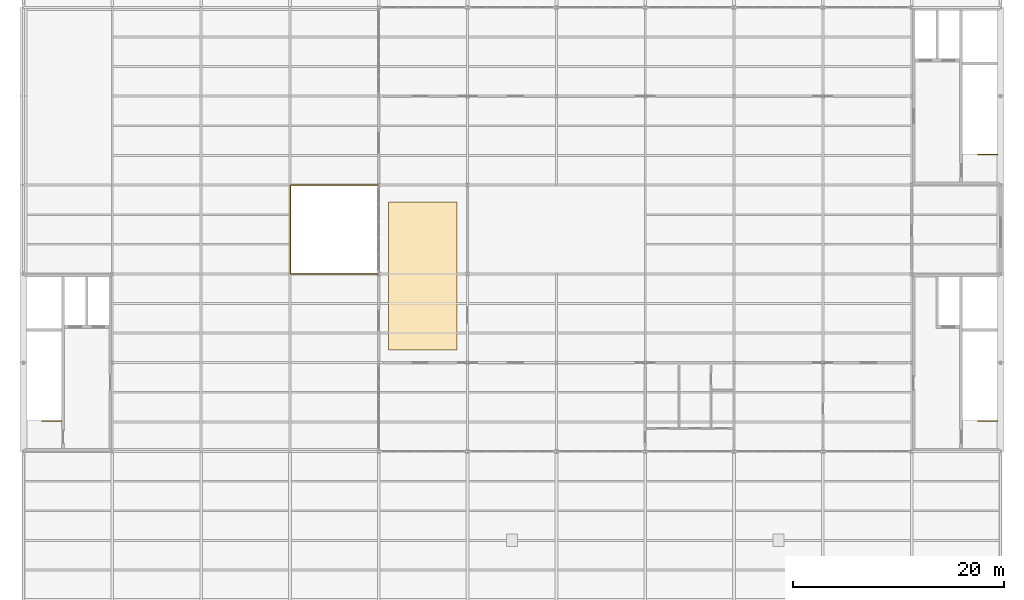
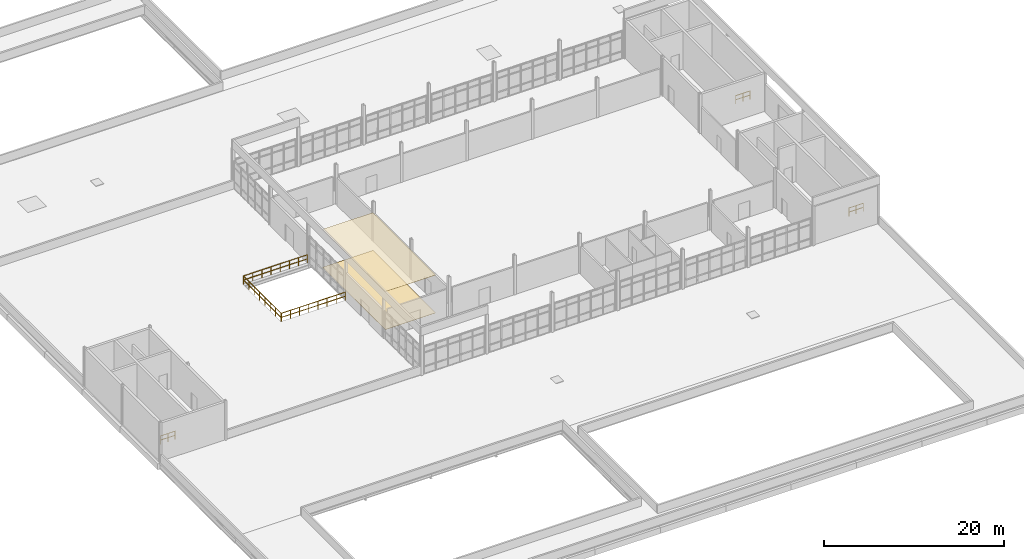
# One storey, part 33 of 33: 6 railings, 2 coverings.
"""IFC4 building model written with IfcOpenShell, lengths in metres."""

from ifc_helpers import new_model, si_unit, direction, frame, origin, origin_2d, place, context, subcontext, project, spatial, rectangle, circle, extrude, material, layer, layer_set, type_object, element, save


model = new_model("IFC4")

# Units and contexts
model_context = context("Model", 3, precision=1e-05, world=origin(), true_north=direction((0.0, 1.0)))
body_context = subcontext(model_context, "Body", "Model", "MODEL_VIEW")
ifc_project = project(units=[si_unit("LENGTHUNIT", "METRE"), si_unit("AREAUNIT", "SQUARE_METRE"), si_unit("VOLUMEUNIT", "CUBIC_METRE"), si_unit("PLANEANGLEUNIT", "RADIAN"), si_unit("MASSUNIT", "GRAM", prefix="KILO"), si_unit("THERMODYNAMICTEMPERATUREUNIT", "KELVIN"), si_unit("POWERUNIT", "WATT")], contexts=[model_context])

# Site, building, storey
site_placement = place(None, origin())
site = spatial("IfcSite", under=ifc_project, at=site_placement, CompositionType="ELEMENT")
building_placement = place(site_placement, origin())
building = spatial("IfcBuilding", under=site, at=building_placement, Name="Tembeka Court Mobility Hub", CompositionType="ELEMENT")
storey_placement = place(building_placement, frame((0.0, 0.0, 23.39990234375)))
storey = spatial("IfcBuildingStorey", under=building, at=storey_placement, Name="L06", CompositionType="ELEMENT", Elevation=23.39990234375)

# Coverings
ifc_material_1 = material(Name="Perforated acoustic mineral-fibre ceiling tile", Category="masonry")
ifc_layer_1 = layer(ifc_material_1, 0.02490234375)
ifc_layer_set_1 = layer_set([ifc_layer_1], Name="Perforated acoustic mineral-fibre ceiling tile")
covering_type_1 = type_object("IfcCoveringType", Name="COV-CL01", PredefinedType="CEILING", material=ifc_layer_set_1)
covering_1_placement = place(storey_placement, frame((37.75, 55.0, 5.149658203125), z_axis=(0.0, 0.0, 1.0), x_axis=(1.0, 0.0, 0.0)))
element("IfcCovering", 1, at=covering_1_placement, inside=storey, type_object=covering_type_1, Name="Acoustic ceiling panel CVC1-08", PredefinedType="CEILING", context=body_context, shape_type="SweptSolid", body=[
    extrude(rectangle(XDim=6.5, YDim=14.0, at=origin_2d()), origin(), (0.0, 0.0, 1.0), 0.02490234375),
])
ifc_material_2 = material(Name="Honed Nairobi granite concourse flooring", Category="masonry")
ifc_layer_2 = layer(ifc_material_2, 0.02001953125)
ifc_layer_set_2 = layer_set([ifc_layer_2], Name="Honed Nairobi granite concourse flooring")
covering_type_2 = type_object("IfcCoveringType", Name="COV-FL01", PredefinedType="FLOORING", material=ifc_layer_set_2)
covering_2_placement = place(storey_placement, frame((37.75, 55.0, -0.001953125), z_axis=(0.0, 0.0, 1.0), x_axis=(1.0, 0.0, 0.0)))
element("IfcCovering", 2, at=covering_2_placement, inside=storey, type_object=covering_type_2, Name="Honed granite floor finish CVF1-08", PredefinedType="FLOORING", context=body_context, shape_type="SweptSolid", body=[
    extrude(rectangle(XDim=6.5, YDim=14.0, at=origin_2d()), origin(), (0.0, 0.0, 1.0), 0.02001953125),
])

# Railings
ifc_material_3 = material(Name="Laminated glass and aluminium balustrade", Category="aluminium")
railing_type_1 = type_object("IfcRailingType", Name="RL-BL01", PredefinedType="BALUSTRADE", material=ifc_material_3)
railing_1_placement = place(storey_placement, frame((33.52001953125, 55.199951171875, 0.0)))
element("IfcRailing", 3, at=railing_1_placement, inside=storey, type_object=railing_type_1, Name="Perimeter guard BL01-0034", PredefinedType="BALUSTRADE", context=body_context, shape_type="SweptSolid", body=[
    extrude(circle(Radius=0.02392578125, at=origin_2d()), frame((0.0, 0.0, 1.09619140625), z_axis=(-1.0, 0.0, 0.0), x_axis=(0.0, -1.0, 0.0)), (0.0, 0.0, 1.0), 8.239990234375),
    extrude(circle(Radius=0.02392578125, at=origin_2d()), frame((0.0, 0.0, 0.5361328125), z_axis=(-1.0, 0.0, 0.0), x_axis=(0.0, -1.0, 0.0)), (0.0, 0.0, 1.0), 8.239990234375),
    extrude(circle(Radius=0.02099609375, at=origin_2d()), origin(), (0.0, 0.0, 1.0), 1.072021484375),
    extrude(circle(Radius=0.02099609375, at=origin_2d()), frame((-1.17724609375, 0.0, 0.0)), (0.0, 0.0, 1.0), 1.072021484375),
    extrude(circle(Radius=0.02099609375, at=origin_2d()), frame((-2.354248046875, 0.0, 0.0)), (0.0, 0.0, 1.0), 1.072021484375),
    extrude(circle(Radius=0.02099609375, at=origin_2d()), frame((-3.531494140625, 0.0, 0.0)), (0.0, 0.0, 1.0), 1.072021484375),
    extrude(circle(Radius=0.02099609375, at=origin_2d()), frame((-4.70849609375, 0.0, 0.0)), (0.0, 0.0, 1.0), 1.072021484375),
    extrude(circle(Radius=0.02099609375, at=origin_2d()), frame((-5.8857421875, 0.0, 0.0)), (0.0, 0.0, 1.0), 1.072021484375),
    extrude(circle(Radius=0.02099609375, at=origin_2d()), frame((-7.062744140625, 0.0, 0.0)), (0.0, 0.0, 1.0), 1.072021484375),
    extrude(circle(Radius=0.02099609375, at=origin_2d()), frame((-8.239990234375, 0.0, 0.0)), (0.0, 0.0, 1.0), 1.072021484375),
])
railing_2_placement = place(storey_placement, frame((25.25, 55.22998046875, 0.0)))
element("IfcRailing", 4, at=railing_2_placement, inside=storey, type_object=railing_type_1, Name="Perimeter guard BL01-0035", PredefinedType="BALUSTRADE", context=body_context, shape_type="SweptSolid", body=[
    extrude(circle(Radius=0.02392578125, at=origin_2d()), frame((0.0, 0.0, 1.09619140625), z_axis=(0.0, 1.0, 0.0), x_axis=(-1.0, 0.0, 0.0)), (0.0, 0.0, 1.0), 8.340087890625),
    extrude(circle(Radius=0.02392578125, at=origin_2d()), frame((0.0, 0.0, 0.5361328125), z_axis=(0.0, 1.0, 0.0), x_axis=(-1.0, 0.0, 0.0)), (0.0, 0.0, 1.0), 8.340087890625),
    extrude(circle(Radius=0.02099609375, at=origin_2d()), origin(), (0.0, 0.0, 1.0), 1.072021484375),
    extrude(circle(Radius=0.02099609375, at=origin_2d()), frame((0.0, 1.19140625, 0.0)), (0.0, 0.0, 1.0), 1.072021484375),
    extrude(circle(Radius=0.02099609375, at=origin_2d()), frame((0.0, 2.3828125, 0.0)), (0.0, 0.0, 1.0), 1.072021484375),
    extrude(circle(Radius=0.02099609375, at=origin_2d()), frame((0.0, 3.57421875, 0.0)), (0.0, 0.0, 1.0), 1.072021484375),
    extrude(circle(Radius=0.02099609375, at=origin_2d()), frame((0.0, 4.765869140625, 0.0)), (0.0, 0.0, 1.0), 1.072021484375),
    extrude(circle(Radius=0.02099609375, at=origin_2d()), frame((0.0, 5.957275390625, 0.0)), (0.0, 0.0, 1.0), 1.072021484375),
    extrude(circle(Radius=0.02099609375, at=origin_2d()), frame((0.0, 7.148681640625, 0.0)), (0.0, 0.0, 1.0), 1.072021484375),
    extrude(circle(Radius=0.02099609375, at=origin_2d()), frame((0.0, 8.340087890625, 0.0)), (0.0, 0.0, 1.0), 1.072021484375),
])
railing_3_placement = place(storey_placement, frame((25.280029296875, 63.60009765625, 0.0)))
element("IfcRailing", 5, at=railing_3_placement, inside=storey, type_object=railing_type_1, Name="Perimeter guard BL01-0036", PredefinedType="BALUSTRADE", context=body_context, shape_type="SweptSolid", body=[
    extrude(circle(Radius=0.02392578125, at=origin_2d()), frame((0.0, 0.0, 1.09619140625), z_axis=(1.0, 0.0, 0.0), x_axis=(0.0, 1.0, 0.0)), (0.0, 0.0, 1.0), 8.239990234375),
    extrude(circle(Radius=0.02392578125, at=origin_2d()), frame((0.0, 0.0, 0.5361328125), z_axis=(1.0, 0.0, 0.0), x_axis=(0.0, 1.0, 0.0)), (0.0, 0.0, 1.0), 8.239990234375),
    extrude(circle(Radius=0.02099609375, at=origin_2d()), origin(), (0.0, 0.0, 1.0), 1.072021484375),
    extrude(circle(Radius=0.02099609375, at=origin_2d()), frame((1.17724609375, 0.0, 0.0)), (0.0, 0.0, 1.0), 1.072021484375),
    extrude(circle(Radius=0.02099609375, at=origin_2d()), frame((2.354248046875, 0.0, 0.0)), (0.0, 0.0, 1.0), 1.072021484375),
    extrude(circle(Radius=0.02099609375, at=origin_2d()), frame((3.531494140625, 0.0, 0.0)), (0.0, 0.0, 1.0), 1.072021484375),
    extrude(circle(Radius=0.02099609375, at=origin_2d()), frame((4.70849609375, 0.0, 0.0)), (0.0, 0.0, 1.0), 1.072021484375),
    extrude(circle(Radius=0.02099609375, at=origin_2d()), frame((5.8857421875, 0.0, 0.0)), (0.0, 0.0, 1.0), 1.072021484375),
    extrude(circle(Radius=0.02099609375, at=origin_2d()), frame((7.062744140625, 0.0, 0.0)), (0.0, 0.0, 1.0), 1.072021484375),
    extrude(circle(Radius=0.02099609375, at=origin_2d()), frame((8.239990234375, 0.0, 0.0)), (0.0, 0.0, 1.0), 1.072021484375),
])
ifc_material_4 = material(Name="Painted galvanised steel balustrade", Category="steel")
railing_type_2 = type_object("IfcRailingType", Name="RL-GR01", PredefinedType="GUARDRAIL", material=ifc_material_4)
for number, where, name in (
    (6, (3.60009765625, 41.300048828125, 0.0), "L06 ST01 top well guard 1-1"),
    (7, (92.10009765625, 66.5, 0.0), "L06 ST02 top well guard 1-1"),
    (8, (92.10009765625, 41.300048828125, 0.0), "L06 ST04 top well guard 1-1"),
):
    element("IfcRailing", number, at=place(storey_placement, frame(where)), inside=storey, type_object=railing_type_2, Name=name, PredefinedType="GUARDRAIL", context=body_context, shape_type="SweptSolid", body=[
        extrude(circle(Radius=0.02392578125, at=origin_2d()), frame((0.0, 0.0, 1.09619140625), z_axis=(-1.0, 0.0, 0.0), x_axis=(0.0, -1.0, 0.0)), (0.0, 0.0, 1.0), 1.85009765625),
        extrude(circle(Radius=0.02392578125, at=origin_2d()), frame((0.0, 0.0, 0.5361328125), z_axis=(-1.0, 0.0, 0.0), x_axis=(0.0, -1.0, 0.0)), (0.0, 0.0, 1.0), 1.85009765625),
        extrude(circle(Radius=0.02099609375, at=origin_2d()), origin(), (0.0, 0.0, 1.0), 1.072021484375),
        extrude(circle(Radius=0.02099609375, at=origin_2d()), frame((-0.925048828125, 0.0, 0.0)), (0.0, 0.0, 1.0), 1.072021484375),
        extrude(circle(Radius=0.02099609375, at=origin_2d()), frame((-1.85009765625, 0.0, 0.0)), (0.0, 0.0, 1.0), 1.072021484375),
    ])

save(model, "model.ifc")
